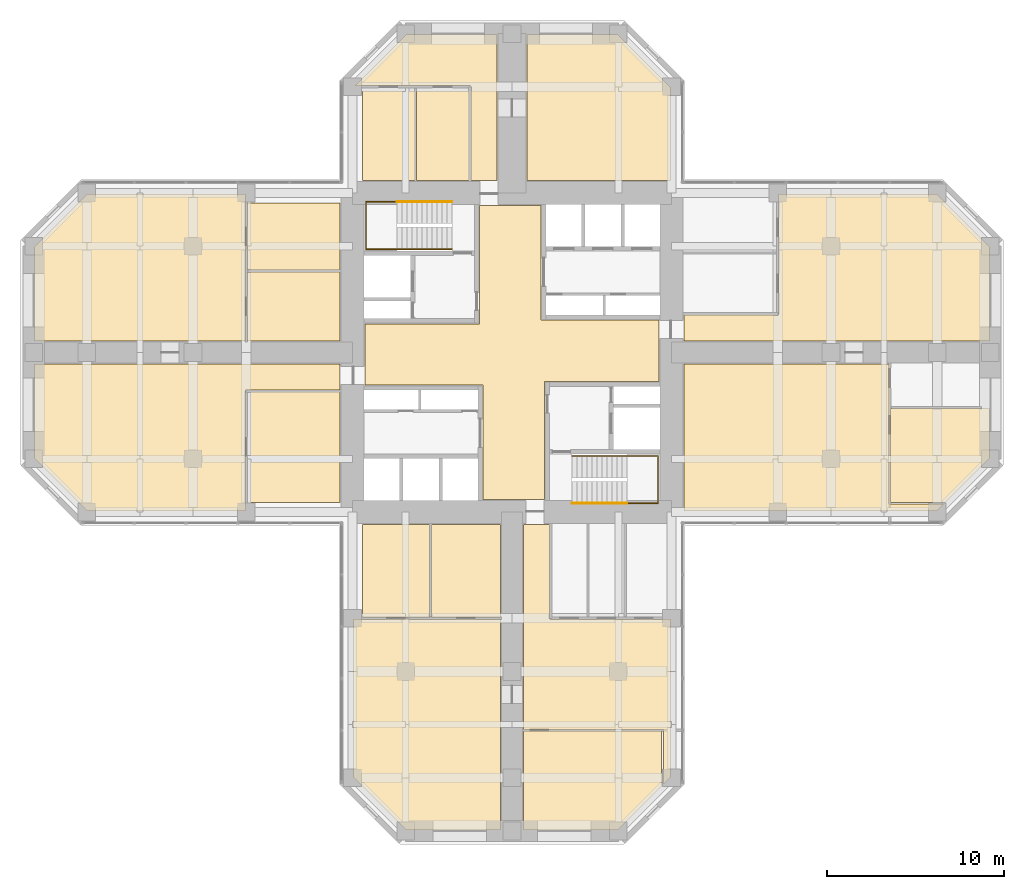
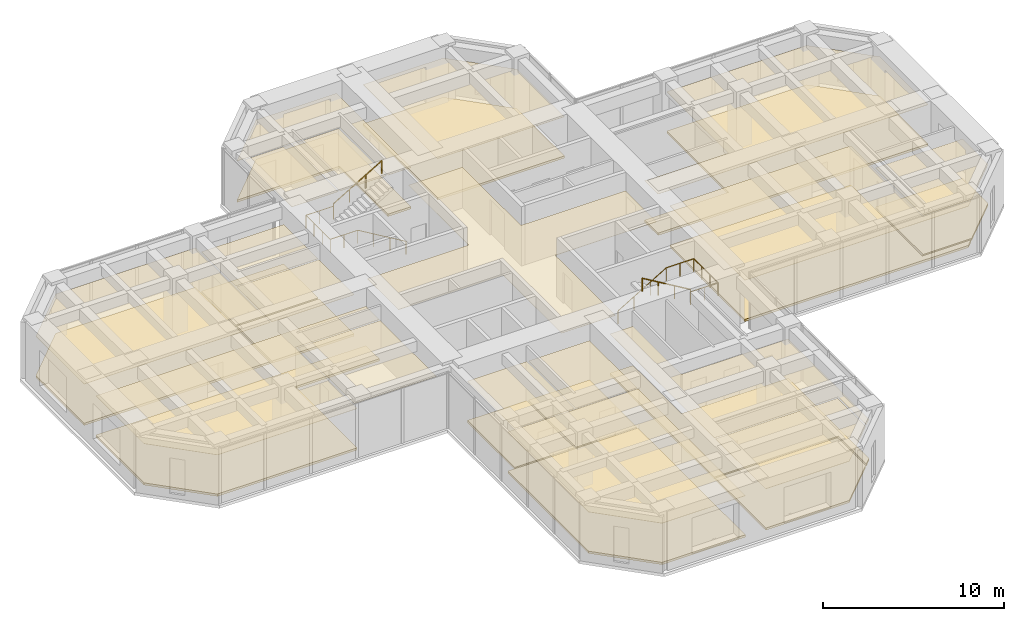
# One storey, part 12 of 12: 32 coverings, 4 railings.
"""IFC4 building model written with IfcOpenShell, lengths in metres."""

from ifc_helpers import new_model, si_unit, direction, frame, origin, origin_2d, place, context, subcontext, project, spatial, polyline, circle, outline, extrude, material, layer, layer_set, constituent, constituent_set, type_object, element, save


model = new_model("IFC4")

# Units and contexts
model_context = context("Model", 3, precision=1e-05, world=origin(), true_north=direction((0.0, 1.0)))
body_context = subcontext(model_context, "Body", "Model", "MODEL_VIEW")
ifc_project = project(units=[si_unit("LENGTHUNIT", "METRE"), si_unit("AREAUNIT", "SQUARE_METRE"), si_unit("VOLUMEUNIT", "CUBIC_METRE"), si_unit("PLANEANGLEUNIT", "RADIAN"), si_unit("MASSUNIT", "GRAM", prefix="KILO")], contexts=[model_context])

# Site, building, storey
site_placement = place(None, origin())
site = spatial("IfcSite", under=ifc_project, at=site_placement, CompositionType="ELEMENT")
building_placement = place(site_placement, origin())
building = spatial("IfcBuilding", under=site, at=building_placement, Name="Torre Cruceta", CompositionType="ELEMENT")
storey_placement = place(building_placement, frame((0.0, 0.0, 120.5)))
storey = spatial("IfcBuildingStorey", under=building, at=storey_placement, Name="L29", CompositionType="ELEMENT", Elevation=120.5)

# Railings
ifc_material_1 = material(Name="Stainless steel 1.4401", Category="steel")
railing_type = type_object("IfcRailingType", Name="HANDRAIL 900", PredefinedType="HANDRAIL", material=ifc_material_1)
railing_1_placement = place(storey_placement, frame((-3.39990234375, 5.8349609375, 0.166748046875)))
element("IfcRailing", 1, at=railing_1_placement, inside=storey, type_object=railing_type, Name="Handrail HR1 ST1 L29", PredefinedType="HANDRAIL", context=body_context, shape_type="SweptSolid", body=[
    extrude(circle(Radius=0.02392578125, at=origin_2d()), frame((0.0, 0.0, 0.8759765625), z_axis=(-0.859308565015, 0.0, 0.511457515432), x_axis=(0.0, -1.0, 0.0)), (0.0, 0.0, 1.0), 3.58447265625),
    extrude(circle(Radius=0.02392578125, at=origin_2d()), frame((-3.080078125, 0.0, 2.708984375), z_axis=(-1.0, 0.0, 0.0), x_axis=(0.0, -1.0, 0.0)), (0.0, 0.0, 1.0), 1.760009765625),
    extrude(circle(Radius=0.02392578125, at=origin_2d()), frame((-4.840087890625, 0.0, 2.708984375), z_axis=(0.0, 1.0, 0.0), x_axis=(-1.0, 0.0, 0.0)), (0.0, 0.0, 1.0), 2.679931640625),
    extrude(circle(Radius=0.02392578125, at=origin_2d()), frame((-4.840087890625, 2.679931640625, 2.708984375), z_axis=(1.0, 0.0, 0.0), x_axis=(0.0, 1.0, 0.0)), (0.0, 0.0, 1.0), 1.760009765625),
    extrude(circle(Radius=0.02099609375, at=origin_2d()), origin(), (0.0, 0.0, 1.0), 0.851806640625),
    extrude(circle(Radius=0.02099609375, at=origin_2d()), frame((-1.026611328125, 0.0, 0.611083984375)), (0.0, 0.0, 1.0), 0.851806640625),
    extrude(circle(Radius=0.02099609375, at=origin_2d()), frame((-2.053466796875, 0.0, 1.22216796875)), (0.0, 0.0, 1.0), 0.851806640625),
    extrude(circle(Radius=0.02099609375, at=origin_2d()), frame((-3.080078125, 0.0, 1.833251953125)), (0.0, 0.0, 1.0), 0.851806640625),
    extrude(circle(Radius=0.02099609375, at=origin_2d()), frame((-3.9599609375, 0.0, 1.833251953125)), (0.0, 0.0, 1.0), 0.851806640625),
    extrude(circle(Radius=0.02099609375, at=origin_2d()), frame((-4.840087890625, 0.0, 1.833251953125)), (0.0, 0.0, 1.0), 0.851806640625),
    extrude(circle(Radius=0.02099609375, at=origin_2d()), frame((-4.840087890625, 0.893310546875, 1.833251953125)), (0.0, 0.0, 1.0), 0.851806640625),
    extrude(circle(Radius=0.02099609375, at=origin_2d()), frame((-4.840087890625, 1.78662109375, 1.833251953125)), (0.0, 0.0, 1.0), 0.851806640625),
    extrude(circle(Radius=0.02099609375, at=origin_2d()), frame((-4.840087890625, 2.679931640625, 1.833251953125)), (0.0, 0.0, 1.0), 0.851806640625),
    extrude(circle(Radius=0.02099609375, at=origin_2d()), frame((-3.9599609375, 2.679931640625, 1.833251953125)), (0.0, 0.0, 1.0), 0.851806640625),
    extrude(circle(Radius=0.02099609375, at=origin_2d()), frame((-3.080078125, 2.679931640625, 1.833251953125)), (0.0, 0.0, 1.0), 0.851806640625),
])
railing_2_placement = place(storey_placement, frame((-6.47998046875, 8.514892578125, 2.166748046875)))
element("IfcRailing", 2, at=railing_2_placement, inside=storey, type_object=railing_type, Name="Handrail HR1 ST1 L29", PredefinedType="HANDRAIL", context=body_context, shape_type="SweptSolid", body=[
    extrude(circle(Radius=0.02392578125, at=origin_2d()), frame((0.0, 0.0, 0.8759765625), z_axis=(0.859308565015, 0.0, 0.511457515432), x_axis=(0.0, 1.0, 0.0)), (0.0, 0.0, 1.0), 3.58447265625),
    extrude(circle(Radius=0.02099609375, at=origin_2d()), origin(), (0.0, 0.0, 1.0), 0.851806640625),
    extrude(circle(Radius=0.02099609375, at=origin_2d()), frame((1.026611328125, 0.0, 0.611083984375)), (0.0, 0.0, 1.0), 0.851806640625),
    extrude(circle(Radius=0.02099609375, at=origin_2d()), frame((2.053466796875, 0.0, 1.22216796875)), (0.0, 0.0, 1.0), 0.851806640625),
    extrude(circle(Radius=0.02099609375, at=origin_2d()), frame((3.080078125, 0.0, 1.833251953125)), (0.0, 0.0, 1.0), 0.851806640625),
])
railing_3_placement = place(storey_placement, frame((3.39990234375, -5.8349609375, 0.166748046875)))
element("IfcRailing", 3, at=railing_3_placement, inside=storey, type_object=railing_type, Name="Handrail HR1 ST2 L29", PredefinedType="HANDRAIL", context=body_context, shape_type="SweptSolid", body=[
    extrude(circle(Radius=0.02392578125, at=origin_2d()), frame((0.0, 0.0, 0.8759765625), z_axis=(0.859308565015, 0.0, 0.511457515432), x_axis=(0.0, 1.0, 0.0)), (0.0, 0.0, 1.0), 3.58447265625),
    extrude(circle(Radius=0.02392578125, at=origin_2d()), frame((3.080078125, 0.0, 2.708984375), z_axis=(1.0, 0.0, 0.0), x_axis=(0.0, 1.0, 0.0)), (0.0, 0.0, 1.0), 1.760009765625),
    extrude(circle(Radius=0.02392578125, at=origin_2d()), frame((4.840087890625, 0.0, 2.708984375), z_axis=(0.0, -1.0, 0.0), x_axis=(1.0, 0.0, 0.0)), (0.0, 0.0, 1.0), 2.679931640625),
    extrude(circle(Radius=0.02392578125, at=origin_2d()), frame((4.840087890625, -2.679931640625, 2.708984375), z_axis=(-1.0, 0.0, 0.0), x_axis=(0.0, -1.0, 0.0)), (0.0, 0.0, 1.0), 1.760009765625),
    extrude(circle(Radius=0.02099609375, at=origin_2d()), origin(), (0.0, 0.0, 1.0), 0.851806640625),
    extrude(circle(Radius=0.02099609375, at=origin_2d()), frame((1.026611328125, 0.0, 0.611083984375)), (0.0, 0.0, 1.0), 0.851806640625),
    extrude(circle(Radius=0.02099609375, at=origin_2d()), frame((2.053466796875, 0.0, 1.22216796875)), (0.0, 0.0, 1.0), 0.851806640625),
    extrude(circle(Radius=0.02099609375, at=origin_2d()), frame((3.080078125, 0.0, 1.833251953125)), (0.0, 0.0, 1.0), 0.851806640625),
    extrude(circle(Radius=0.02099609375, at=origin_2d()), frame((3.9599609375, 0.0, 1.833251953125)), (0.0, 0.0, 1.0), 0.851806640625),
    extrude(circle(Radius=0.02099609375, at=origin_2d()), frame((4.840087890625, 0.0, 1.833251953125)), (0.0, 0.0, 1.0), 0.851806640625),
    extrude(circle(Radius=0.02099609375, at=origin_2d()), frame((4.840087890625, -0.893310546875, 1.833251953125)), (0.0, 0.0, 1.0), 0.851806640625),
    extrude(circle(Radius=0.02099609375, at=origin_2d()), frame((4.840087890625, -1.78662109375, 1.833251953125)), (0.0, 0.0, 1.0), 0.851806640625),
    extrude(circle(Radius=0.02099609375, at=origin_2d()), frame((4.840087890625, -2.679931640625, 1.833251953125)), (0.0, 0.0, 1.0), 0.851806640625),
    extrude(circle(Radius=0.02099609375, at=origin_2d()), frame((3.9599609375, -2.679931640625, 1.833251953125)), (0.0, 0.0, 1.0), 0.851806640625),
    extrude(circle(Radius=0.02099609375, at=origin_2d()), frame((3.080078125, -2.679931640625, 1.833251953125)), (0.0, 0.0, 1.0), 0.851806640625),
])
railing_4_placement = place(storey_placement, frame((6.47998046875, -8.514892578125, 2.166748046875)))
element("IfcRailing", 4, at=railing_4_placement, inside=storey, type_object=railing_type, Name="Handrail HR1 ST2 L29", PredefinedType="HANDRAIL", context=body_context, shape_type="SweptSolid", body=[
    extrude(circle(Radius=0.02392578125, at=origin_2d()), frame((0.0, 0.0, 0.8759765625), z_axis=(-0.859308565015, 0.0, 0.511457515432), x_axis=(0.0, -1.0, 0.0)), (0.0, 0.0, 1.0), 3.58447265625),
    extrude(circle(Radius=0.02099609375, at=origin_2d()), origin(), (0.0, 0.0, 1.0), 0.851806640625),
    extrude(circle(Radius=0.02099609375, at=origin_2d()), frame((-1.026611328125, 0.0, 0.611083984375)), (0.0, 0.0, 1.0), 0.851806640625),
    extrude(circle(Radius=0.02099609375, at=origin_2d()), frame((-2.053466796875, 0.0, 1.22216796875)), (0.0, 0.0, 1.0), 0.851806640625),
    extrude(circle(Radius=0.02099609375, at=origin_2d()), frame((-3.080078125, 0.0, 1.833251953125)), (0.0, 0.0, 1.0), 0.851806640625),
])

# Coverings
ifc_material_2 = material(Name="Steel DX51D", Category="steel")
ifc_constituent_1 = constituent(ifc_material_2, Name="Panel casing")
ifc_material_3 = material(Name="Calcium sulphate", Category="gypsum")
ifc_constituent_2 = constituent(ifc_material_3, Name="Panel core")
ifc_constituent_set = constituent_set(constituents=[ifc_constituent_1, ifc_constituent_2], Name="Raised access floor panel")
covering_type_1 = type_object("IfcCoveringType", Name="RAISED ACCESS FLOOR 150", PredefinedType="FLOORING", material=ifc_constituent_set)
covering_1_placement = place(storey_placement, origin())
element("IfcCovering", 5, at=covering_1_placement, inside=storey, type_object=covering_type_1, Name="Raised floor L29-024", PredefinedType="FLOORING", context=body_context, shape_type="SweptSolid", body=[
    extrude(outline(polyline([(-0.85009765625, 17.949951171875), (-0.85009765625, 9.699951171875), (-2.324951171875, 9.699951171875), (-2.324951171875, 15.050048828125), (-8.87939453125, 15.050048828125), (-5.979248046875, 17.949951171875), (-0.85009765625, 17.949951171875)])), origin(), (0.0, 0.0, 1.0), 0.14990234375),
])
covering_2_placement = place(storey_placement, origin())
element("IfcCovering", 6, at=covering_2_placement, inside=storey, type_object=covering_type_1, Name="Raised floor L29-025", PredefinedType="FLOORING", context=body_context, shape_type="SweptSolid", body=[
    extrude(outline(polyline([(5.979248046875, 17.949951171875), (8.949951171875, 14.979248046875), (8.949951171875, 9.699951171875), (0.85009765625, 9.699951171875), (0.85009765625, 17.949951171875), (5.979248046875, 17.949951171875)])), origin(), (0.0, 0.0, 1.0), 0.14990234375),
])
covering_3_placement = place(storey_placement, origin())
element("IfcCovering", 7, at=covering_3_placement, inside=storey, type_object=covering_type_1, Name="Raised floor L29-029", PredefinedType="FLOORING", context=body_context, shape_type="SweptSolid", body=[
    extrude(outline(polyline([(24.479248046875, -8.449951171875), (21.3701171875, -8.449951171875), (21.3701171875, -3.16796875), (26.949951171875, -3.16796875), (26.949951171875, -5.979248046875), (24.479248046875, -8.449951171875)])), origin(), (0.0, 0.0, 1.0), 0.14990234375),
])
covering_4_placement = place(storey_placement, origin())
element("IfcCovering", 8, at=covering_4_placement, inside=storey, type_object=covering_type_1, Name="Raised floor L29-030", PredefinedType="FLOORING", context=body_context, shape_type="SweptSolid", body=[
    extrude(outline(polyline([(26.949951171875, 0.64990234375), (9.699951171875, 0.64990234375), (9.699951171875, 2.125), (15.050048828125, 2.125), (15.050048828125, 8.949951171875), (23.979248046875, 8.949951171875), (26.949951171875, 5.979248046875), (26.949951171875, 0.64990234375)])), origin(), (0.0, 0.0, 1.0), 0.14990234375),
])
covering_5_placement = place(storey_placement, origin())
element("IfcCovering", 9, at=covering_5_placement, inside=storey, type_object=covering_type_1, Name="Raised floor L29-031", PredefinedType="FLOORING", context=body_context, shape_type="SweptSolid", body=[
    extrude(outline(polyline([(21.27001953125, -8.550048828125), (24.37939453125, -8.550048828125), (23.979248046875, -8.949951171875), (9.699951171875, -8.949951171875), (9.699951171875, -0.64990234375), (21.27001953125, -0.64990234375), (21.27001953125, -8.550048828125)])), origin(), (0.0, 0.0, 1.0), 0.14990234375),
])
covering_6_placement = place(storey_placement, origin())
element("IfcCovering", 10, at=covering_6_placement, inside=storey, type_object=covering_type_1, Name="Raised floor L29-035", PredefinedType="FLOORING", context=body_context, shape_type="SweptSolid", body=[
    extrude(outline(polyline([(-4.550048828125, -9.699951171875), (-0.64990234375, -9.699951171875), (-0.64990234375, -14.949951171875), (-4.550048828125, -14.949951171875), (-4.550048828125, -9.699951171875)])), origin(), (0.0, 0.0, 1.0), 0.14990234375),
])
covering_7_placement = place(storey_placement, origin())
element("IfcCovering", 11, at=covering_7_placement, inside=storey, type_object=covering_type_1, Name="Raised floor L29-036", PredefinedType="FLOORING", context=body_context, shape_type="SweptSolid", body=[
    extrude(outline(polyline([(-8.449951171875, -9.699951171875), (-4.64990234375, -9.699951171875), (-4.64990234375, -14.949951171875), (-8.449951171875, -14.949951171875), (-8.449951171875, -9.699951171875)])), origin(), (0.0, 0.0, 1.0), 0.14990234375),
])
covering_8_placement = place(storey_placement, origin())
element("IfcCovering", 12, at=covering_8_placement, inside=storey, type_object=covering_type_1, Name="Raised floor L29-037", PredefinedType="FLOORING", context=body_context, shape_type="SweptSolid", body=[
    extrude(outline(polyline([(0.64990234375, -26.949951171875), (0.64990234375, -21.3701171875), (8.449951171875, -21.3701171875), (8.449951171875, -24.479248046875), (5.979248046875, -26.949951171875), (0.64990234375, -26.949951171875)])), origin(), (0.0, 0.0, 1.0), 0.14990234375),
])
covering_9_placement = place(storey_placement, origin())
element("IfcCovering", 13, at=covering_9_placement, inside=storey, type_object=covering_type_1, Name="Raised floor L29-038", PredefinedType="FLOORING", context=body_context, shape_type="SweptSolid", body=[
    extrude(outline(polyline([(2.125, -9.699951171875), (2.125, -15.050048828125), (8.949951171875, -15.050048828125), (8.949951171875, -23.979248046875), (8.550048828125, -24.37939453125), (8.550048828125, -21.27001953125), (0.64990234375, -21.27001953125), (0.64990234375, -9.699951171875), (2.125, -9.699951171875)])), origin(), (0.0, 0.0, 1.0), 0.14990234375),
])
covering_10_placement = place(storey_placement, origin())
element("IfcCovering", 14, at=covering_10_placement, inside=storey, type_object=covering_type_1, Name="Raised floor L29-039", PredefinedType="FLOORING", context=body_context, shape_type="SweptSolid", body=[
    extrude(outline(polyline([(-8.949951171875, -23.979248046875), (-8.949951171875, -15.050048828125), (-0.64990234375, -15.050048828125), (-0.64990234375, -26.949951171875), (-5.979248046875, -26.949951171875), (-8.949951171875, -23.979248046875)])), origin(), (0.0, 0.0, 1.0), 0.14990234375),
])
covering_11_placement = place(storey_placement, origin())
element("IfcCovering", 15, at=covering_11_placement, inside=storey, type_object=covering_type_1, Name="Raised floor L29-041", PredefinedType="FLOORING", context=body_context, shape_type="SweptSolid", body=[
    extrude(outline(polyline([(-9.699951171875, 4.550048828125), (-9.699951171875, 0.64990234375), (-14.949951171875, 0.64990234375), (-14.949951171875, 4.550048828125), (-9.699951171875, 4.550048828125)])), origin(), (0.0, 0.0, 1.0), 0.14990234375),
])
covering_12_placement = place(storey_placement, origin())
element("IfcCovering", 16, at=covering_12_placement, inside=storey, type_object=covering_type_1, Name="Raised floor L29-042", PredefinedType="FLOORING", context=body_context, shape_type="SweptSolid", body=[
    extrude(outline(polyline([(-9.699951171875, 8.449951171875), (-9.699951171875, 4.64990234375), (-14.949951171875, 4.64990234375), (-14.949951171875, 8.449951171875), (-9.699951171875, 8.449951171875)])), origin(), (0.0, 0.0, 1.0), 0.14990234375),
])
covering_13_placement = place(storey_placement, origin())
element("IfcCovering", 17, at=covering_13_placement, inside=storey, type_object=covering_type_1, Name="Raised floor L29-043", PredefinedType="FLOORING", context=body_context, shape_type="SweptSolid", body=[
    extrude(outline(polyline([(-26.949951171875, -0.64990234375), (-9.699951171875, -0.64990234375), (-9.699951171875, -2.125), (-15.050048828125, -2.125), (-15.050048828125, -8.949951171875), (-23.979248046875, -8.949951171875), (-26.949951171875, -5.979248046875), (-26.949951171875, -0.64990234375)])), origin(), (0.0, 0.0, 1.0), 0.14990234375),
])
covering_14_placement = place(storey_placement, origin())
element("IfcCovering", 18, at=covering_14_placement, inside=storey, type_object=covering_type_1, Name="Raised floor L29-044", PredefinedType="FLOORING", context=body_context, shape_type="SweptSolid", body=[
    extrude(outline(polyline([(-26.949951171875, 5.979248046875), (-23.979248046875, 8.949951171875), (-15.050048828125, 8.949951171875), (-15.050048828125, 0.64990234375), (-26.949951171875, 0.64990234375), (-26.949951171875, 5.979248046875)])), origin(), (0.0, 0.0, 1.0), 0.14990234375),
])
ifc_material_4 = material(Name="Mineral fibre ceiling tile", Category="gypsum")
ifc_layer = layer(ifc_material_4, 0.02001953125)
ifc_layer_set = layer_set([ifc_layer], Name="Mineral fibre ceiling tile")
covering_type_2 = type_object("IfcCoveringType", Name="SUSPENDED CEILING 20", PredefinedType="CEILING", material=ifc_layer_set)
covering_15_placement = place(storey_placement, frame((0.0, 0.0, 2.780029296875)))
element("IfcCovering", 19, at=covering_15_placement, inside=storey, type_object=covering_type_2, Name="Ceiling L29-001", PredefinedType="CEILING", context=body_context, shape_type="SweptSolid", body=[
    extrude(outline(polyline([(-1.625, -8.300048828125), (-1.625, -1.824951171875), (-8.300048828125, -1.824951171875), (-8.300048828125, 1.625), (-1.824951171875, 1.625), (-1.824951171875, 8.300048828125), (1.625, 8.300048828125), (1.625, 1.824951171875), (8.300048828125, 1.824951171875), (8.300048828125, -1.625), (1.824951171875, -1.625), (1.824951171875, -8.300048828125), (-1.625, -8.300048828125)])), origin(), (0.0, 0.0, 1.0), 0.02001953125),
])
covering_16_placement = place(storey_placement, frame((0.0, 0.0, 2.780029296875)))
element("IfcCovering", 20, at=covering_16_placement, inside=storey, type_object=covering_type_2, Name="Ceiling L29-022", PredefinedType="CEILING", context=body_context, shape_type="SweptSolid", body=[
    extrude(outline(polyline([(-2.425048828125, 9.699951171875), (-5.387451171875, 9.699951171875), (-5.387451171875, 14.949951171875), (-2.425048828125, 14.949951171875), (-2.425048828125, 9.699951171875)])), origin(), (0.0, 0.0, 1.0), 0.02001953125),
])
covering_17_placement = place(storey_placement, frame((0.0, 0.0, 2.780029296875)))
element("IfcCovering", 21, at=covering_17_placement, inside=storey, type_object=covering_type_2, Name="Ceiling L29-023", PredefinedType="CEILING", context=body_context, shape_type="SweptSolid", body=[
    extrude(outline(polyline([(-5.487548828125, 9.699951171875), (-8.449951171875, 9.699951171875), (-8.449951171875, 14.949951171875), (-5.487548828125, 14.949951171875), (-5.487548828125, 9.699951171875)])), origin(), (0.0, 0.0, 1.0), 0.02001953125),
])
covering_18_placement = place(storey_placement, frame((0.0, 0.0, 2.780029296875)))
element("IfcCovering", 22, at=covering_18_placement, inside=storey, type_object=covering_type_2, Name="Ceiling L29-024", PredefinedType="CEILING", context=body_context, shape_type="SweptSolid", body=[
    extrude(outline(polyline([(-0.85009765625, 17.949951171875), (-0.85009765625, 9.699951171875), (-2.324951171875, 9.699951171875), (-2.324951171875, 15.050048828125), (-8.87939453125, 15.050048828125), (-5.979248046875, 17.949951171875), (-0.85009765625, 17.949951171875)])), origin(), (0.0, 0.0, 1.0), 0.02001953125),
])
covering_19_placement = place(storey_placement, frame((0.0, 0.0, 2.780029296875)))
element("IfcCovering", 23, at=covering_19_placement, inside=storey, type_object=covering_type_2, Name="Ceiling L29-025", PredefinedType="CEILING", context=body_context, shape_type="SweptSolid", body=[
    extrude(outline(polyline([(5.979248046875, 17.949951171875), (8.949951171875, 14.979248046875), (8.949951171875, 9.699951171875), (0.85009765625, 9.699951171875), (0.85009765625, 17.949951171875), (5.979248046875, 17.949951171875)])), origin(), (0.0, 0.0, 1.0), 0.02001953125),
])
covering_20_placement = place(storey_placement, frame((0.0, 0.0, 2.780029296875)))
element("IfcCovering", 24, at=covering_20_placement, inside=storey, type_object=covering_type_2, Name="Ceiling L29-029", PredefinedType="CEILING", context=body_context, shape_type="SweptSolid", body=[
    extrude(outline(polyline([(24.479248046875, -8.449951171875), (21.3701171875, -8.449951171875), (21.3701171875, -3.16796875), (26.949951171875, -3.16796875), (26.949951171875, -5.979248046875), (24.479248046875, -8.449951171875)])), origin(), (0.0, 0.0, 1.0), 0.02001953125),
])
covering_21_placement = place(storey_placement, frame((0.0, 0.0, 2.780029296875)))
element("IfcCovering", 25, at=covering_21_placement, inside=storey, type_object=covering_type_2, Name="Ceiling L29-030", PredefinedType="CEILING", context=body_context, shape_type="SweptSolid", body=[
    extrude(outline(polyline([(26.949951171875, 0.64990234375), (9.699951171875, 0.64990234375), (9.699951171875, 2.125), (15.050048828125, 2.125), (15.050048828125, 8.949951171875), (23.979248046875, 8.949951171875), (26.949951171875, 5.979248046875), (26.949951171875, 0.64990234375)])), origin(), (0.0, 0.0, 1.0), 0.02001953125),
])
covering_22_placement = place(storey_placement, frame((0.0, 0.0, 2.780029296875)))
element("IfcCovering", 26, at=covering_22_placement, inside=storey, type_object=covering_type_2, Name="Ceiling L29-031", PredefinedType="CEILING", context=body_context, shape_type="SweptSolid", body=[
    extrude(outline(polyline([(21.27001953125, -8.550048828125), (24.37939453125, -8.550048828125), (23.979248046875, -8.949951171875), (9.699951171875, -8.949951171875), (9.699951171875, -0.64990234375), (21.27001953125, -0.64990234375), (21.27001953125, -8.550048828125)])), origin(), (0.0, 0.0, 1.0), 0.02001953125),
])
covering_23_placement = place(storey_placement, frame((0.0, 0.0, 2.780029296875)))
element("IfcCovering", 27, at=covering_23_placement, inside=storey, type_object=covering_type_2, Name="Ceiling L29-035", PredefinedType="CEILING", context=body_context, shape_type="SweptSolid", body=[
    extrude(outline(polyline([(-4.550048828125, -9.699951171875), (-0.64990234375, -9.699951171875), (-0.64990234375, -14.949951171875), (-4.550048828125, -14.949951171875), (-4.550048828125, -9.699951171875)])), origin(), (0.0, 0.0, 1.0), 0.02001953125),
])
covering_24_placement = place(storey_placement, frame((0.0, 0.0, 2.780029296875)))
element("IfcCovering", 28, at=covering_24_placement, inside=storey, type_object=covering_type_2, Name="Ceiling L29-036", PredefinedType="CEILING", context=body_context, shape_type="SweptSolid", body=[
    extrude(outline(polyline([(-8.449951171875, -9.699951171875), (-4.64990234375, -9.699951171875), (-4.64990234375, -14.949951171875), (-8.449951171875, -14.949951171875), (-8.449951171875, -9.699951171875)])), origin(), (0.0, 0.0, 1.0), 0.02001953125),
])
covering_25_placement = place(storey_placement, frame((0.0, 0.0, 2.780029296875)))
element("IfcCovering", 29, at=covering_25_placement, inside=storey, type_object=covering_type_2, Name="Ceiling L29-037", PredefinedType="CEILING", context=body_context, shape_type="SweptSolid", body=[
    extrude(outline(polyline([(0.64990234375, -26.949951171875), (0.64990234375, -21.3701171875), (8.449951171875, -21.3701171875), (8.449951171875, -24.479248046875), (5.979248046875, -26.949951171875), (0.64990234375, -26.949951171875)])), origin(), (0.0, 0.0, 1.0), 0.02001953125),
])
covering_26_placement = place(storey_placement, frame((0.0, 0.0, 2.780029296875)))
element("IfcCovering", 30, at=covering_26_placement, inside=storey, type_object=covering_type_2, Name="Ceiling L29-038", PredefinedType="CEILING", context=body_context, shape_type="SweptSolid", body=[
    extrude(outline(polyline([(2.125, -9.699951171875), (2.125, -15.050048828125), (8.949951171875, -15.050048828125), (8.949951171875, -23.979248046875), (8.550048828125, -24.37939453125), (8.550048828125, -21.27001953125), (0.64990234375, -21.27001953125), (0.64990234375, -9.699951171875), (2.125, -9.699951171875)])), origin(), (0.0, 0.0, 1.0), 0.02001953125),
])
covering_27_placement = place(storey_placement, frame((0.0, 0.0, 2.780029296875)))
element("IfcCovering", 31, at=covering_27_placement, inside=storey, type_object=covering_type_2, Name="Ceiling L29-039", PredefinedType="CEILING", context=body_context, shape_type="SweptSolid", body=[
    extrude(outline(polyline([(-8.949951171875, -23.979248046875), (-8.949951171875, -15.050048828125), (-0.64990234375, -15.050048828125), (-0.64990234375, -26.949951171875), (-5.979248046875, -26.949951171875), (-8.949951171875, -23.979248046875)])), origin(), (0.0, 0.0, 1.0), 0.02001953125),
])
covering_28_placement = place(storey_placement, frame((0.0, 0.0, 2.780029296875)))
element("IfcCovering", 32, at=covering_28_placement, inside=storey, type_object=covering_type_2, Name="Ceiling L29-040", PredefinedType="CEILING", context=body_context, shape_type="SweptSolid", body=[
    extrude(outline(polyline([(-9.699951171875, -2.22509765625), (-9.699951171875, -8.449951171875), (-14.949951171875, -8.449951171875), (-14.949951171875, -2.22509765625), (-9.699951171875, -2.22509765625)])), origin(), (0.0, 0.0, 1.0), 0.02001953125),
])
covering_29_placement = place(storey_placement, frame((0.0, 0.0, 2.780029296875)))
element("IfcCovering", 33, at=covering_29_placement, inside=storey, type_object=covering_type_2, Name="Ceiling L29-041", PredefinedType="CEILING", context=body_context, shape_type="SweptSolid", body=[
    extrude(outline(polyline([(-9.699951171875, 4.550048828125), (-9.699951171875, 0.64990234375), (-14.949951171875, 0.64990234375), (-14.949951171875, 4.550048828125), (-9.699951171875, 4.550048828125)])), origin(), (0.0, 0.0, 1.0), 0.02001953125),
])
covering_30_placement = place(storey_placement, frame((0.0, 0.0, 2.780029296875)))
element("IfcCovering", 34, at=covering_30_placement, inside=storey, type_object=covering_type_2, Name="Ceiling L29-042", PredefinedType="CEILING", context=body_context, shape_type="SweptSolid", body=[
    extrude(outline(polyline([(-9.699951171875, 8.449951171875), (-9.699951171875, 4.64990234375), (-14.949951171875, 4.64990234375), (-14.949951171875, 8.449951171875), (-9.699951171875, 8.449951171875)])), origin(), (0.0, 0.0, 1.0), 0.02001953125),
])
covering_31_placement = place(storey_placement, frame((0.0, 0.0, 2.780029296875)))
element("IfcCovering", 35, at=covering_31_placement, inside=storey, type_object=covering_type_2, Name="Ceiling L29-043", PredefinedType="CEILING", context=body_context, shape_type="SweptSolid", body=[
    extrude(outline(polyline([(-26.949951171875, -0.64990234375), (-9.699951171875, -0.64990234375), (-9.699951171875, -2.125), (-15.050048828125, -2.125), (-15.050048828125, -8.949951171875), (-23.979248046875, -8.949951171875), (-26.949951171875, -5.979248046875), (-26.949951171875, -0.64990234375)])), origin(), (0.0, 0.0, 1.0), 0.02001953125),
])
covering_32_placement = place(storey_placement, frame((0.0, 0.0, 2.780029296875)))
element("IfcCovering", 36, at=covering_32_placement, inside=storey, type_object=covering_type_2, Name="Ceiling L29-044", PredefinedType="CEILING", context=body_context, shape_type="SweptSolid", body=[
    extrude(outline(polyline([(-26.949951171875, 5.979248046875), (-23.979248046875, 8.949951171875), (-15.050048828125, 8.949951171875), (-15.050048828125, 0.64990234375), (-26.949951171875, 0.64990234375), (-26.949951171875, 5.979248046875)])), origin(), (0.0, 0.0, 1.0), 0.02001953125),
])

save(model, "model.ifc")
